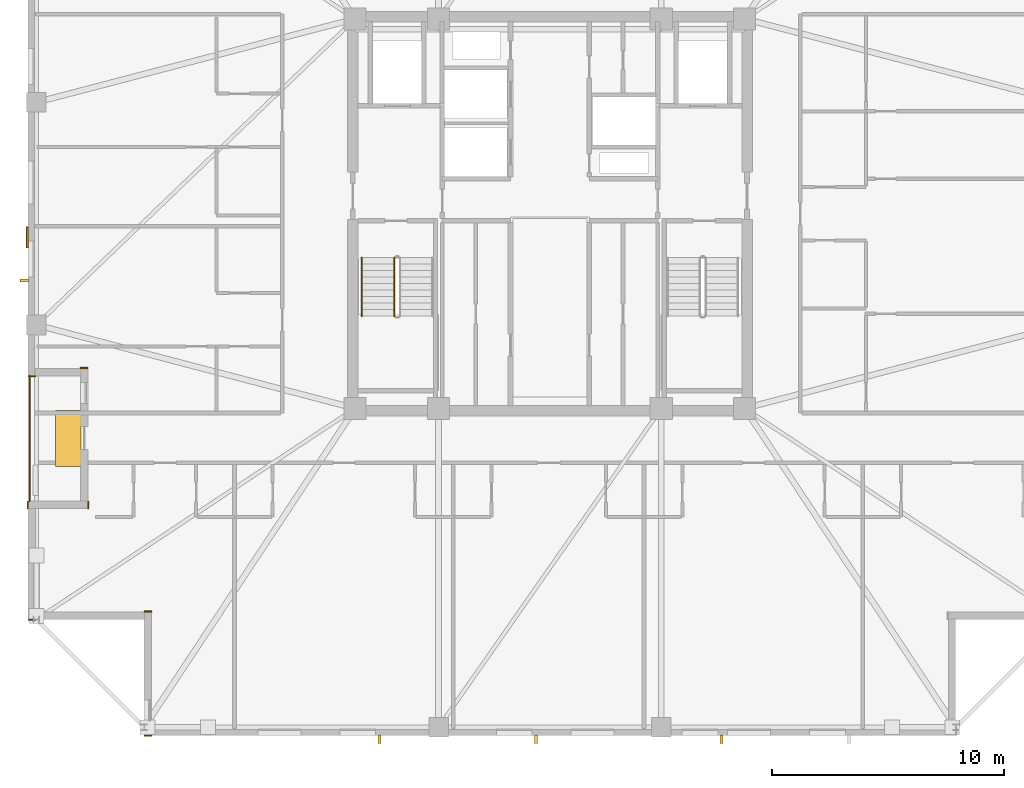
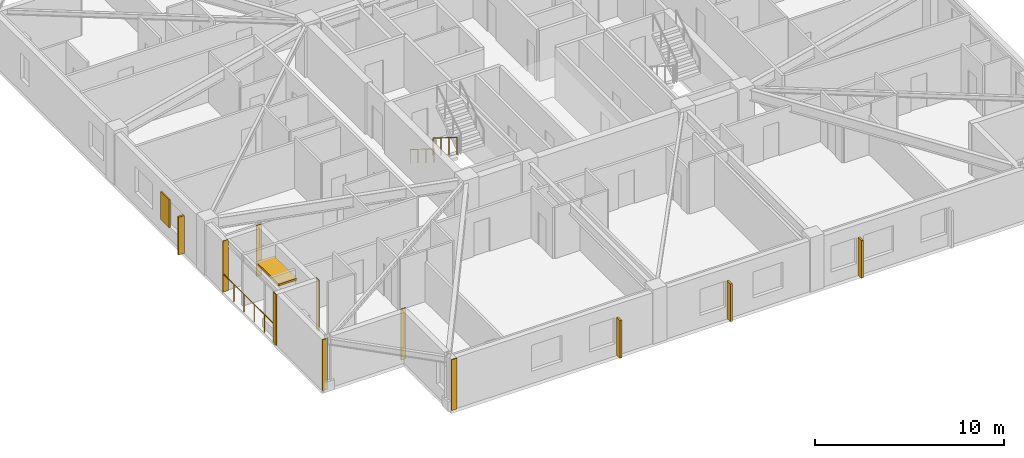
# One storey, part 13 of 17: 7 coverings, 6 shading devices, 3 railings.
"""IFC4 building model written with IfcOpenShell, lengths in metres."""

from ifc_helpers import new_model, si_unit, direction, frame, frame_2d, origin, origin_2d, place, context, subcontext, project, spatial, rectangle, circle, extrude, material, layer, layer_set, type_object, element, save


model = new_model("IFC4")

# Units and contexts
model_context = context("Model", 3, precision=1e-05, world=origin(), true_north=direction((0.0, 1.0)))
body_context = subcontext(model_context, "Body", "Model", "MODEL_VIEW")
ifc_project = project(units=[si_unit("LENGTHUNIT", "METRE"), si_unit("AREAUNIT", "SQUARE_METRE"), si_unit("VOLUMEUNIT", "CUBIC_METRE"), si_unit("PLANEANGLEUNIT", "RADIAN"), si_unit("MASSUNIT", "GRAM", prefix="KILO")], contexts=[model_context])

# Site, building, storey
site_placement = place(None, origin())
site = spatial("IfcSite", under=ifc_project, at=site_placement, CompositionType="ELEMENT")
building_placement = place(site_placement, origin())
building = spatial("IfcBuilding", under=site, at=building_placement, Name="Cairnveth Concourse Tower", CompositionType="ELEMENT")
storey_placement = place(building_placement, frame((0.0, 0.0, 248.0)))
storey = spatial("IfcBuildingStorey", under=building, at=storey_placement, Name="L68", CompositionType="ELEMENT", Elevation=248.0)

# Coverings
ifc_material_1 = material(Name="Dressed Melbourne Bluestone Cladding", Category="masonry")
ifc_layer = layer(ifc_material_1, 0.050048828125)
ifc_layer_set = layer_set([ifc_layer], Name="Dressed Melbourne Bluestone Cladding")
covering_type = type_object("IfcCoveringType", Name="DRESSED BLUESTONE PLINTH CLADDING 50", PredefinedType="CLADDING", material=ifc_layer_set)
for number, where, z_axis, x_axis, name in (
    (1, (29.820068359375, 31.97998046875, 0.0), (0.0, 0.0, 1.0), (-1.0, 0.0, 0.0), "Melbourne Bluestone Corner Quoin L68-1023"),
    (2, (34.820068359375, 16.47998046875, 0.0), (0.0, 0.0, 1.0), (-1.0, 0.0, 0.0), "Melbourne Bluestone Corner Quoin L68-1033"),
    (3, (34.820068359375, 21.840087890625, 0.0), (0.0, 0.0, 1.0), (-1.0, 0.0, 0.0), "Melbourne Bluestone Corner Quoin L68-1034"),
    (4, (29.820068359375, 21.47998046875, 0.0), (0.0, 0.0, 1.0), (-1.0, 0.0, 0.0), "Melbourne Bluestone Corner Quoin L68-1035"),
    (5, (29.47998046875, 26.280029296875, 0.0), (0.0, 0.0, 1.0), (0.0, 1.0, 0.0), "Melbourne Bluestone Corner Quoin L68-1036"),
    (6, (32.090087890625, 26.280029296875, 0.0), (0.0, 0.0, 1.0), (0.0, 1.0, 0.0), "Melbourne Bluestone Corner Quoin L68-1037"),
    (7, (32.070068359375, 32.340087890625, 0.0), (0.0, 0.0, 1.0), (-1.0, 0.0, 0.0), "Melbourne Bluestone Corner Quoin L68-1038"),
):
    element("IfcCovering", number, at=place(storey_placement, frame(where, z_axis=z_axis, x_axis=x_axis)), inside=storey, type_object=covering_type, Name=name, PredefinedType="CLADDING", context=body_context, shape_type="SweptSolid", body=[
        extrude(rectangle(XDim=0.320068359375, YDim=0.050048828125, at=frame_2d((0.16015625, 0.0))), origin(), (0.0, 0.0, 1.0), 3.2900390625),
    ])

# Shading devices
ifc_material_2 = material(Name="Architectural Bronze Anodised Aluminium 6063-T6", Category="aluminium")
shading_device_type_1 = type_object("IfcShadingDeviceType", Name="GOTHIC BRONZE VERTICAL LANCET FIN", PredefinedType="USERDEFINED", material=ifc_material_2)
for number, where, z_axis, x_axis, name in (
    (8, (29.324951171875, 36.115234375, 0.030029296875), (0.0, 0.0, 1.0), (0.0, 1.0, 0.0), "Gothic Bronze Vertical Fin L68-0-1"),
    (9, (59.39697265625, 16.324951171875, 0.030029296875), (0.0, 0.0, 1.0), (1.0, 0.0, 0.0), "Gothic Bronze Vertical Fin L68-9-3"),
    (10, (51.396484375, 16.324951171875, 0.030029296875), (0.0, 0.0, 1.0), (1.0, 0.0, 0.0), "Gothic Bronze Vertical Fin L68-9-5"),
    (11, (44.64599609375, 16.324951171875, 0.030029296875), (0.0, 0.0, 1.0), (1.0, 0.0, 0.0), "Gothic Bronze Vertical Fin L68-9-7"),
):
    element("IfcShadingDevice", number, at=place(storey_placement, frame(where, z_axis=z_axis, x_axis=x_axis)), inside=storey, type_object=shading_device_type_1, Name=name, ObjectType="VERTICAL FIN", PredefinedType="USERDEFINED", context=body_context, shape_type="SweptSolid", body=[
        extrude(rectangle(XDim=0.1201171875, YDim=0.360107421875, at=origin_2d()), origin(), (0.0, 0.0, 1.0), 2.43798828125),
    ])
shading_device_type_2 = type_object("IfcShadingDeviceType", Name="SPIRAL TERRACE SUNSHADE CANOPY", PredefinedType="USERDEFINED", material=ifc_material_2)
shading_device_1_placement = place(storey_placement, frame((31.22998046875, 29.300048828125, 2.31787109375), z_axis=(0.0, 0.0, 1.0), x_axis=(1.0, 0.0, 0.0)))
element("IfcShadingDevice", 12, at=shading_device_1_placement, inside=storey, type_object=shading_device_type_2, Name="Spiral Terrace Sunshade L68", ObjectType="TERRACE SUNSHADE", PredefinedType="USERDEFINED", context=body_context, shape_type="SweptSolid", body=[
    extrude(rectangle(XDim=1.10009765625, YDim=2.39990234375, at=origin_2d()), origin(), (0.0, 0.0, 1.0), 0.1201171875),
])

# Railings
ifc_material_3 = material(Name="Steel Grade 350", Category="steel")
railing_type_1 = type_object("IfcRailingType", Name="STAIR GUARDRAIL 1150", PredefinedType="GUARDRAIL", material=ifc_material_3)
railing_1_placement = place(storey_placement, frame((45.2900390625, 37.10009765625, 0.175048828125)))
element("IfcRailing", 13, at=railing_1_placement, inside=storey, type_object=railing_type_1, Name="L68 ST-1 stair guard 1", PredefinedType="GUARDRAIL", context=body_context, shape_type="SweptSolid", body=[
    extrude(circle(Radius=0.02392578125, at=origin_2d()), frame((0.0, 0.0, 1.1259765625), z_axis=(0.0, -0.848007534815, 0.529984170421), x_axis=(1.0, 0.0, 0.0)), (0.0, 0.0, 1.0), 2.9716796875),
    extrude(circle(Radius=0.02099609375, at=origin_2d()), origin(), (0.0, 0.0, 1.0), 1.101806640625),
    extrude(circle(Radius=0.02099609375, at=origin_2d()), frame((0.0, -0.840087890625, 0.52490234375)), (0.0, 0.0, 1.0), 1.101806640625),
    extrude(circle(Radius=0.02099609375, at=origin_2d()), frame((0.0, -1.679931640625, 1.050048828125)), (0.0, 0.0, 1.0), 1.101806640625),
    extrude(circle(Radius=0.02099609375, at=origin_2d()), frame((0.0, -2.52001953125, 1.574951171875)), (0.0, 0.0, 1.0), 1.101806640625),
])
railing_type_2 = type_object("IfcRailingType", Name="STAIR WALL HANDRAIL 900", PredefinedType="HANDRAIL", material=ifc_material_3)
railing_2_placement = place(storey_placement, frame((43.889892578125, 37.10009765625, 0.175048828125)))
element("IfcRailing", 14, at=railing_2_placement, inside=storey, type_object=railing_type_2, Name="L68 ST-1 stair handrail 1", PredefinedType="HANDRAIL", context=body_context, shape_type="SweptSolid", body=[
    extrude(circle(Radius=0.02392578125, at=origin_2d()), frame((0.0, 0.0, 0.8759765625), z_axis=(0.0, -0.848007534815, 0.529984170421), x_axis=(1.0, 0.0, 0.0)), (0.0, 0.0, 1.0), 2.9716796875),
    extrude(circle(Radius=0.02099609375, at=origin_2d()), origin(), (0.0, 0.0, 1.0), 0.851806640625),
    extrude(circle(Radius=0.02099609375, at=origin_2d()), frame((0.0, -0.840087890625, 0.52490234375)), (0.0, 0.0, 1.0), 0.851806640625),
    extrude(circle(Radius=0.02099609375, at=origin_2d()), frame((0.0, -1.679931640625, 1.050048828125)), (0.0, 0.0, 1.0), 0.851806640625),
    extrude(circle(Radius=0.02099609375, at=origin_2d()), frame((0.0, -2.52001953125, 1.574951171875)), (0.0, 0.0, 1.0), 0.851806640625),
])
railing_type_3 = type_object("IfcRailingType", Name="TERRACE BRONZE BALUSTRADE 1150", PredefinedType="BALUSTRADE", material=ifc_material_2)
railing_3_placement = place(storey_placement, frame((29.56005859375, 26.60009765625, 0.0)))
element("IfcRailing", 15, at=railing_3_placement, inside=storey, type_object=railing_type_3, Name="Terrace Balustrade RL-L68-TERR", PredefinedType="BALUSTRADE", context=body_context, shape_type="SweptSolid", body=[
    extrude(circle(Radius=0.02490234375, at=origin_2d()), frame((0.0, 0.0, 1.125), z_axis=(0.0, 1.0, 0.0), x_axis=(-1.0, 0.0, 0.0)), (0.0, 0.0, 1.0), 5.39990234375),
    extrude(circle(Radius=0.02099609375, at=origin_2d()), origin(), (0.0, 0.0, 1.0), 1.099853515625),
    extrude(circle(Radius=0.02099609375, at=origin_2d()), frame((0.0, 1.080078125, 0.0)), (0.0, 0.0, 1.0), 1.099853515625),
    extrude(circle(Radius=0.02099609375, at=origin_2d()), frame((0.0, 2.159912109375, 0.0)), (0.0, 0.0, 1.0), 1.099853515625),
    extrude(circle(Radius=0.02099609375, at=origin_2d()), frame((0.0, 3.239990234375, 0.0)), (0.0, 0.0, 1.0), 1.099853515625),
    extrude(circle(Radius=0.02099609375, at=origin_2d()), frame((0.0, 4.31982421875, 0.0)), (0.0, 0.0, 1.0), 1.099853515625),
    extrude(circle(Radius=0.02099609375, at=origin_2d()), frame((0.0, 5.39990234375, 0.0)), (0.0, 0.0, 1.0), 1.099853515625),
])

# Shading device
shading_device_type_3 = type_object("IfcShadingDeviceType", Name="WEST SOLAR PERFORATED SHUTTER", PredefinedType="SHUTTER", material=ifc_material_2)
shading_device_2_placement = place(storey_placement, frame((29.464111328125, 37.985107421875, 0.7998046875), z_axis=(0.0, 0.0, 1.0), x_axis=(1.0, 0.0, 0.0)))
element("IfcShadingDevice", 16, at=shading_device_2_placement, inside=storey, type_object=shading_device_type_3, Name="West Solar Shutter L68", PredefinedType="SHUTTER", context=body_context, shape_type="SweptSolid", body=[
    extrude(rectangle(XDim=0.080078125, YDim=0.89990234375, at=origin_2d()), origin(), (0.0, 0.0, 1.0), 1.800048828125),
])

save(model, "model.ifc")
